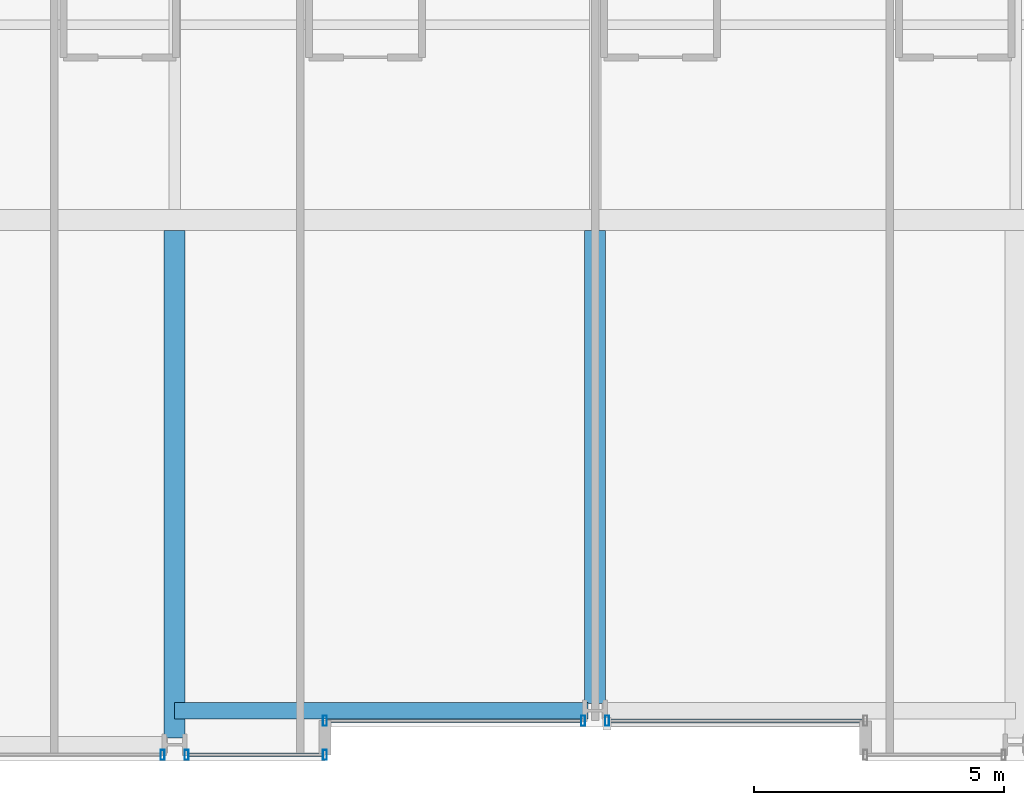
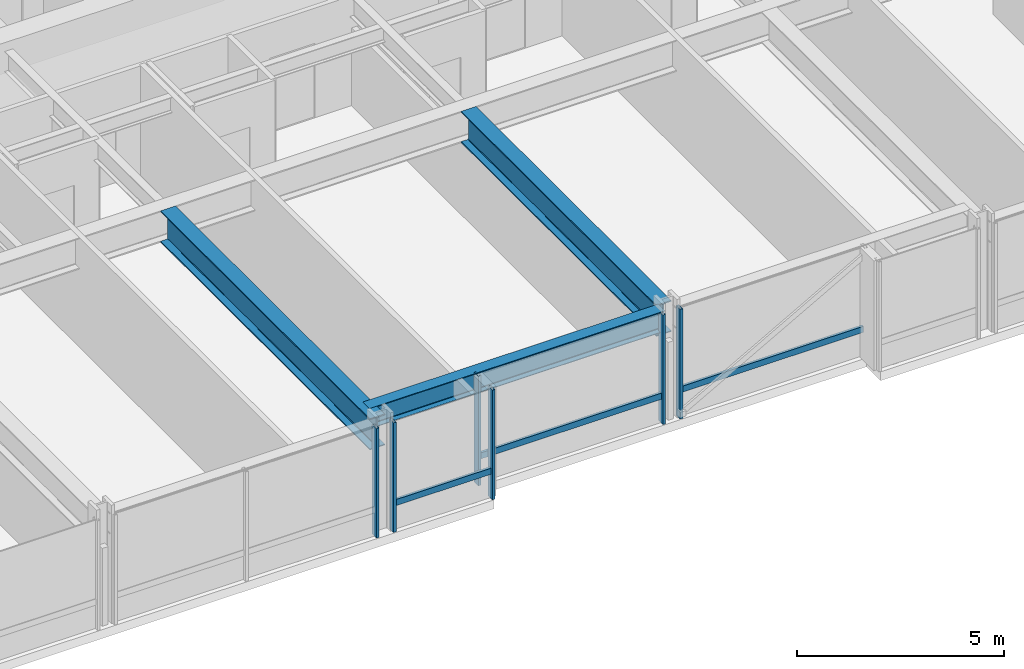
# One storey, part 5 of 39: 9 members, 3 beams, 4 elements without a shape of their own.
"""IFC4 building model written with IfcOpenShell, lengths in metres."""

from ifc_helpers import new_model, si_unit, direction, frame, origin, origin_2d, place, context, subcontext, project, spatial, hollow_rectangle, i_section, extrude, material, layer, layer_set, material_profile, profile_set, type_object, element, aggregate, save


model = new_model("IFC4")

# Units and contexts
model_context = context("Model", 3, precision=1e-05, world=origin(), true_north=direction((0.0, 1.0)))
body_context = subcontext(model_context, "Body", "Model", "MODEL_VIEW")
ifc_project = project(units=[si_unit("LENGTHUNIT", "METRE"), si_unit("AREAUNIT", "SQUARE_METRE"), si_unit("VOLUMEUNIT", "CUBIC_METRE"), si_unit("PLANEANGLEUNIT", "RADIAN"), si_unit("MASSUNIT", "GRAM", prefix="KILO")], contexts=[model_context])

# Site, building, storey
site_placement = place(None, origin())
site = spatial("IfcSite", under=ifc_project, at=site_placement, CompositionType="ELEMENT")
building_placement = place(site_placement, origin())
building = spatial("IfcBuilding", under=site, at=building_placement, Name="Drelvath Grand Hotel", CompositionType="ELEMENT")
storey_placement = place(building_placement, frame((0.0, 0.0, 36.699951171875)))
storey = spatial("IfcBuildingStorey", under=building, at=storey_placement, Name="L07", CompositionType="ELEMENT", Elevation=36.699951171875)

# Curtain wall, member
ifc_material_1 = material(Name="Warm Bronze Anodised Aluminium Frame", Category="aluminium")
ifc_layer = layer(ifc_material_1, 0.199951171875)
ifc_layer_set = layer_set([ifc_layer], Name="Warm Bronze Anodised Aluminium Frame")
curtain_wall_type = type_object("IfcCurtainWallType", Name="Stick Curtain Wall CW-02 Warm Bronze Low-Rise", PredefinedType="NOTDEFINED", material=ifc_layer_set)
curtain_wall_1_placement = place(storey_placement, origin())
curtain_wall_1 = element("IfcCurtainWall", 1, at=curtain_wall_1_placement, inside=storey, type_object=curtain_wall_type, Name="L07 CW-02 Curtain Wall CW02-L07-SM1", PredefinedType="NOTDEFINED")
ifc_material_profile_1 = material_profile(ifc_material_1, hollow_rectangle(XDim=0.074951171875, YDim=0.179931640625, WallThickness=0.0048828125, at=origin_2d()), Name="HSS180X75X5")
ifc_profile_set_1 = profile_set([ifc_material_profile_1], Name="Warm Bronze Anodised Aluminium Frame")
member_type_1 = type_object("IfcMemberType", Name="Curtain Wall Horizontal Transom CW-02 HSS180X75X5", PredefinedType="USERDEFINED", material=ifc_profile_set_1)
member_1_placement = place(storey_placement, frame((-0.281005859375, 0.800048828125, 0.81005859375), z_axis=(-1.0, 0.0, 0.0), x_axis=(0.0, -1.0, 0.0)))
member_1 = element("IfcMember", 2, at=member_1_placement, type_object=member_type_1, Name="CW02-L07-SM1 Sill Transom", ObjectType="TRANSOM", PredefinedType="USERDEFINED", context=body_context, shape_type="SweptSolid", body=[
    extrude(hollow_rectangle(XDim=0.074951171875, YDim=0.179931640625, WallThickness=0.0048828125, at=origin_2d()), origin(), (0.0, 0.0, 1.0), 5.0791015625),
])

curtain_wall_2_placement = place(storey_placement, origin())
curtain_wall_2 = element("IfcCurtainWall", 3, at=curtain_wall_2_placement, inside=storey, type_object=curtain_wall_type, Name="L07 CW-02 Curtain Wall CW02-L07-SM2", PredefinedType="NOTDEFINED")
member_2_placement = place(storey_placement, frame((5.360107421875, 0.800048828125, 0.81005859375), z_axis=(-1.0, 0.0, 0.0), x_axis=(0.0, -1.0, 0.0)))
member_2 = element("IfcMember", 4, at=member_2_placement, type_object=member_type_1, Name="CW02-L07-SM2 Sill Transom", ObjectType="TRANSOM", PredefinedType="USERDEFINED", context=body_context, shape_type="SweptSolid", body=[
    extrude(hollow_rectangle(XDim=0.074951171875, YDim=0.179931640625, WallThickness=0.0048828125, at=origin_2d()), origin(), (0.0, 0.0, 1.0), 5.0791015625),
])

curtain_wall_3_placement = place(storey_placement, origin())
curtain_wall_3 = element("IfcCurtainWall", 5, at=curtain_wall_3_placement, inside=storey, type_object=curtain_wall_type, Name="L07 CW-02 Curtain Wall CW02-L07-SW3", PredefinedType="NOTDEFINED")
member_3_placement = place(storey_placement, frame((-5.43994140625, 0.1201171875, 0.81005859375), z_axis=(-1.0, 0.0, 0.0), x_axis=(0.0, -1.0, 0.0)))
member_3 = element("IfcMember", 6, at=member_3_placement, type_object=member_type_1, Name="CW02-L07-SW3 Sill Transom", ObjectType="TRANSOM", PredefinedType="USERDEFINED", context=body_context, shape_type="SweptSolid", body=[
    extrude(hollow_rectangle(XDim=0.074951171875, YDim=0.179931640625, WallThickness=0.0048828125, at=origin_2d()), origin(), (0.0, 0.0, 1.0), 2.67919921875),
])

# Member
ifc_material_profile_2 = material_profile(ifc_material_1, hollow_rectangle(XDim=0.080078125, YDim=0.199951171875, WallThickness=0.0048828125, at=origin_2d()), Name="HSS200X80X5")
ifc_profile_set_2 = profile_set([ifc_material_profile_2], Name="Warm Bronze Anodised Aluminium Frame")
member_type_2 = type_object("IfcMemberType", Name="Curtain Wall Vertical Mullion CW-02 HSS200X80X5", PredefinedType="MULLION", material=ifc_profile_set_2)
member_4_placement = place(storey_placement, frame((-0.240966796875, 0.800048828125, 0.0), z_axis=(0.0, 0.0, 1.0), x_axis=(1.0, 0.0, 0.0)))
member_4 = element("IfcMember", 7, at=member_4_placement, type_object=member_type_2, Name="CW02-L07-SM1 Mullion 1", PredefinedType="MULLION", context=body_context, shape_type="SweptSolid", body=[
    extrude(hollow_rectangle(XDim=0.080078125, YDim=0.199951171875, WallThickness=0.0048828125, at=origin_2d()), origin(), (0.0, 0.0, 1.0), 3.239990234375),
])

member_5_placement = place(storey_placement, frame((-5.39990234375, 0.800048828125, 0.0), z_axis=(0.0, 0.0, 1.0), x_axis=(1.0, 0.0, 0.0)))
member_5 = element("IfcMember", 8, at=member_5_placement, type_object=member_type_2, Name="CW02-L07-SM1 Mullion 2", PredefinedType="MULLION", context=body_context, shape_type="SweptSolid", body=[
    extrude(hollow_rectangle(XDim=0.080078125, YDim=0.199951171875, WallThickness=0.0048828125, at=origin_2d()), origin(), (0.0, 0.0, 1.0), 3.239990234375),
])

aggregate(curtain_wall_1, [member_4, member_5, member_1])

member_6_placement = place(storey_placement, frame((0.240966796875, 0.800048828125, 0.0), z_axis=(0.0, 0.0, 1.0), x_axis=(1.0, 0.0, 0.0)))
member_6 = element("IfcMember", 9, at=member_6_placement, type_object=member_type_2, Name="CW02-L07-SM2 Mullion 2", PredefinedType="MULLION", context=body_context, shape_type="SweptSolid", body=[
    extrude(hollow_rectangle(XDim=0.080078125, YDim=0.199951171875, WallThickness=0.0048828125, at=origin_2d()), origin(), (0.0, 0.0, 1.0), 3.239990234375),
])

aggregate(curtain_wall_2, [member_6, member_2])

# Curtain wall, member
curtain_wall_4_placement = place(storey_placement, origin())
curtain_wall_4 = element("IfcCurtainWall", 10, at=curtain_wall_4_placement, inside=storey, type_object=curtain_wall_type, Name="L07 CW-02 Curtain Wall CW02-L07-SW2", PredefinedType="NOTDEFINED")
member_7_placement = place(storey_placement, frame((-8.640869140625, 0.1201171875, 0.0), z_axis=(0.0, 0.0, 1.0), x_axis=(1.0, 0.0, 0.0)))
member_7 = element("IfcMember", 11, at=member_7_placement, type_object=member_type_2, Name="CW02-L07-SW2 Mullion 1", PredefinedType="MULLION", context=body_context, shape_type="SweptSolid", body=[
    extrude(hollow_rectangle(XDim=0.080078125, YDim=0.199951171875, WallThickness=0.0048828125, at=origin_2d()), origin(), (0.0, 0.0, 1.0), 3.239990234375),
])
aggregate(curtain_wall_4, [member_7])

# Member
member_8_placement = place(storey_placement, frame((-5.39990234375, 0.1201171875, 0.0), z_axis=(0.0, 0.0, 1.0), x_axis=(1.0, 0.0, 0.0)))
member_8 = element("IfcMember", 12, at=member_8_placement, type_object=member_type_2, Name="CW02-L07-SW3 Mullion 1", PredefinedType="MULLION", context=body_context, shape_type="SweptSolid", body=[
    extrude(hollow_rectangle(XDim=0.080078125, YDim=0.199951171875, WallThickness=0.0048828125, at=origin_2d()), origin(), (0.0, 0.0, 1.0), 3.239990234375),
])

member_9_placement = place(storey_placement, frame((-8.1591796875, 0.1201171875, 0.0), z_axis=(0.0, 0.0, 1.0), x_axis=(1.0, 0.0, 0.0)))
member_9 = element("IfcMember", 13, at=member_9_placement, type_object=member_type_2, Name="CW02-L07-SW3 Mullion 2", PredefinedType="MULLION", context=body_context, shape_type="SweptSolid", body=[
    extrude(hollow_rectangle(XDim=0.080078125, YDim=0.199951171875, WallThickness=0.0048828125, at=origin_2d()), origin(), (0.0, 0.0, 1.0), 3.239990234375),
])

aggregate(curtain_wall_3, [member_8, member_9, member_3])

# Beams
ifc_material_2 = material(Name="Steel ASTM A992 Gr 50", Category="steel")
ifc_material_profile_3 = material_profile(ifc_material_2, i_section(OverallWidth=0.323974609375, OverallDepth=0.611083984375, WebThickness=0.0126953125, FlangeThickness=0.01904296875, FilletRadius=0.02197265625, at=origin_2d()), Name="W24X104")
ifc_profile_set_3 = profile_set([ifc_material_profile_3], Name="Steel ASTM A992 Gr 50")
beam_type_1 = type_object("IfcBeamType", Name="Perimeter Spandrel Beam W24X104", PredefinedType="SPANDREL", material=ifc_profile_set_3)
beam_1_placement = place(storey_placement, frame((-8.39990234375, 1.0, 2.9345703125), z_axis=(1.0, 0.0, 0.0), x_axis=(0.0, 1.0, 0.0)))
element("IfcBeam", 14, at=beam_1_placement, inside=storey, type_object=beam_type_1, Name="L07 Spandrel South Mid W", PredefinedType="SPANDREL", context=body_context, shape_type="SweptSolid", body=[
    extrude(i_section(OverallWidth=0.323974609375, OverallDepth=0.611083984375, WebThickness=0.0126953125, FlangeThickness=0.01904296875, FilletRadius=0.02197265625, at=origin_2d()), origin(), (0.0, 0.0, 1.0), 8.260009765625),
])
ifc_material_profile_4 = material_profile(ifc_material_2, i_section(OverallWidth=0.418212890625, OverallDepth=0.926513671875, WebThickness=0.019287109375, FlangeThickness=0.031982421875, FilletRadius=0.028076171875, at=origin_2d()), Name="W36X231")
ifc_profile_set_4 = profile_set([ifc_material_profile_4], Name="Steel ASTM A992 Gr 50")
beam_type_2 = type_object("IfcBeamType", Name="Primary Floor Girder W36X231", PredefinedType="BEAM", material=ifc_profile_set_4)
beam_2_placement = place(storey_placement, frame((-8.39990234375, 0.4599609375, 2.77685546875), z_axis=(0.0, 1.0, 0.0), x_axis=(-1.0, 0.0, 0.0)))
element("IfcBeam", 15, at=beam_2_placement, inside=storey, type_object=beam_type_2, Name="L07 South Wing Girder 4", PredefinedType="BEAM", context=body_context, shape_type="SweptSolid", body=[
    extrude(i_section(OverallWidth=0.418212890625, OverallDepth=0.926513671875, WebThickness=0.019287109375, FlangeThickness=0.031982421875, FilletRadius=0.028076171875, at=origin_2d()), origin(), (0.0, 0.0, 1.0), 10.130859375),
])
beam_3_placement = place(storey_placement, frame((0.0, 1.139892578125, 2.77685546875), z_axis=(0.0, 1.0, 0.0), x_axis=(-1.0, 0.0, 0.0)))
element("IfcBeam", 16, at=beam_3_placement, inside=storey, type_object=beam_type_2, Name="L07 South Wing Girder 5", PredefinedType="BEAM", context=body_context, shape_type="SweptSolid", body=[
    extrude(i_section(OverallWidth=0.418212890625, OverallDepth=0.926513671875, WebThickness=0.019287109375, FlangeThickness=0.031982421875, FilletRadius=0.028076171875, at=origin_2d()), origin(), (0.0, 0.0, 1.0), 9.450927734375),
])

save(model, "model.ifc")
